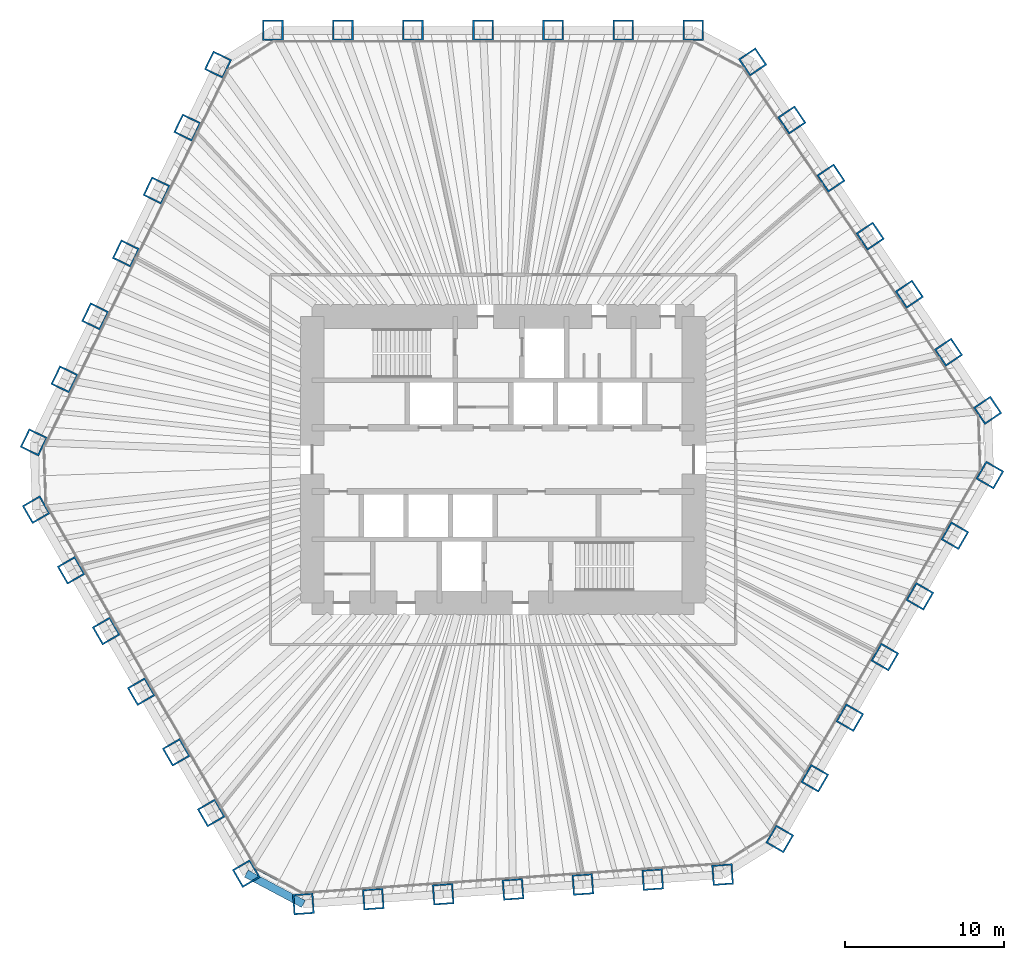
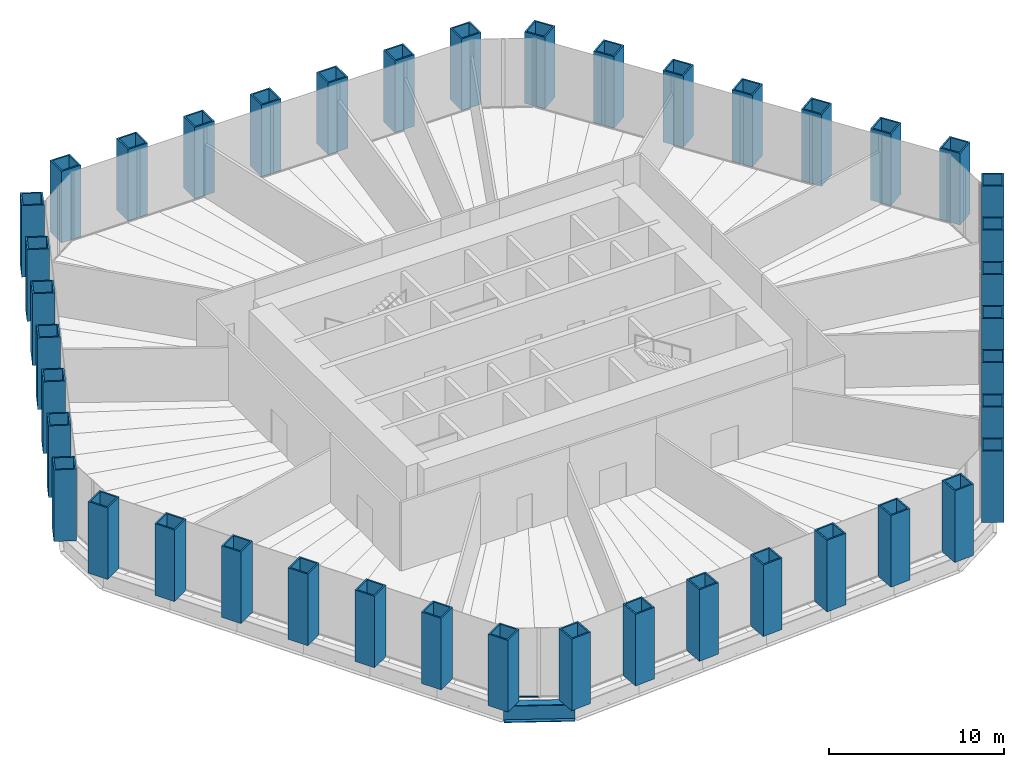
# One storey, part 1 of 13: 42 columns, 1 beam, 1 member, 1 element without a shape of its own.
"""IFC4 building model written with IfcOpenShell, lengths in metres."""

from ifc_helpers import new_model, si_unit, direction, frame, origin, origin_2d, place, context, subcontext, project, spatial, rectangle, hollow_rectangle, i_section, extrude, material, material_profile, profile_set, type_object, element, aggregate, save


model = new_model("IFC4")

# Units and contexts
model_context = context("Model", 3, precision=1e-05, world=origin(), true_north=direction((0.0, 1.0)))
body_context = subcontext(model_context, "Body", "Model", "MODEL_VIEW")
ifc_project = project(units=[si_unit("LENGTHUNIT", "METRE"), si_unit("AREAUNIT", "SQUARE_METRE"), si_unit("VOLUMEUNIT", "CUBIC_METRE"), si_unit("PLANEANGLEUNIT", "RADIAN"), si_unit("MASSUNIT", "GRAM", prefix="KILO")], contexts=[model_context])

# Site, building, storey
site_placement = place(None, origin())
site = spatial("IfcSite", under=ifc_project, at=site_placement, CompositionType="ELEMENT")
building_placement = place(site_placement, origin())
building = spatial("IfcBuilding", under=site, at=building_placement, Name="Qingtian Harvest Tower", CompositionType="ELEMENT")
storey_placement = place(building_placement, frame((0.0, 0.0, 77.0)))
storey = spatial("IfcBuildingStorey", under=building, at=storey_placement, Name="L15", CompositionType="ELEMENT", Elevation=77.0)

# Columns
ifc_material_1 = material(Name="Steel SM570MC", Category="steel")
ifc_material_profile_1 = material_profile(ifc_material_1, hollow_rectangle(XDim=1.300048828125, YDim=1.300048828125, WallThickness=0.10009765625, at=origin_2d()), Name="BOX1300x1300x100")
ifc_profile_set_1 = profile_set([ifc_material_profile_1], Name="Steel SM570MC")
column_type = type_object("IfcColumnType", Name="Tube column TC2 BOX1300x1300x100", PredefinedType="COLUMN", material=ifc_profile_set_1)
for number, where, z_axis, x_axis, name in (
    (1, (-14.471435546875, 27.0, 0.0), (0.0, 0.0, 1.0), (-1.0, 0.0, 0.0), "Tube column TC2 N0"),
    (2, (-10.06689453125, 27.0, 0.0), (0.0, 0.0, 1.0), (-1.0, 0.0, 0.0), "Tube column TC2 N1"),
    (3, (-5.662353515625, 27.0, 0.0), (0.0, 0.0, 1.0), (-1.0, 0.0, 0.0), "Tube column TC2 N2"),
    (4, (-1.257568359375, 27.0, 0.0), (0.0, 0.0, 1.0), (-1.0, 0.0, 0.0), "Tube column TC2 N3"),
    (5, (3.14697265625, 27.0, 0.0), (0.0, 0.0, 1.0), (-1.0, 0.0, 0.0), "Tube column TC2 N4"),
    (6, (7.551513671875, 27.0, 0.0), (0.0, 0.0, 1.0), (-1.0, 0.0, 0.0), "Tube column TC2 N5"),
    (7, (11.9560546875, 27.0, 0.0), (0.0, 0.0, 1.0), (-1.0, 0.0, 0.0), "Tube column TC2 N6"),
    (8, (15.6982421875, 25.01025390625, 0.0), (0.0, 0.0, 1.0), (-0.559192903471, 0.829037572555, 0.0), "Tube column TC2 NE0"),
    (9, (18.1611328125, 21.358642578125, 0.0), (0.0, 0.0, 1.0), (-0.559192903471, 0.829037572555, 0.0), "Tube column TC2 NE1"),
    (10, (20.624267578125, 17.70703125, 0.0), (0.0, 0.0, 1.0), (-0.559192903471, 0.829037572555, 0.0), "Tube column TC2 NE2"),
    (11, (23.08740234375, 14.0556640625, 0.0), (0.0, 0.0, 1.0), (-0.559192903471, 0.829037572555, 0.0), "Tube column TC2 NE3"),
    (12, (25.55029296875, 10.404052734375, 0.0), (0.0, 0.0, 1.0), (-0.559192903471, 0.829037572555, 0.0), "Tube column TC2 NE4"),
    (13, (28.013427734375, 6.75244140625, 0.0), (0.0, 0.0, 1.0), (-0.559192903471, 0.829037572555, 0.0), "Tube column TC2 NE5"),
    (14, (30.476318359375, 3.100830078125, 0.0), (0.0, 0.0, 1.0), (-0.559192903471, 0.829037572555, 0.0), "Tube column TC2 NE6"),
    (15, (30.618408203125, -0.96728515625, 0.0), (0.0, 0.0, 1.0), (0.5, 0.866025403784, 0.0), "Tube column TC2 SE0"),
    (16, (28.416015625, -4.78173828125, 0.0), (0.0, 0.0, 1.0), (0.5, 0.866025403784, 0.0), "Tube column TC2 SE1"),
    (17, (26.2138671875, -8.596435546875, 0.0), (0.0, 0.0, 1.0), (0.5, 0.866025403784, 0.0), "Tube column TC2 SE2"),
    (18, (24.011474609375, -12.410888671875, 0.0), (0.0, 0.0, 1.0), (0.5, 0.866025403784, 0.0), "Tube column TC2 SE3"),
    (19, (21.809326171875, -16.225341796875, 0.0), (0.0, 0.0, 1.0), (0.5, 0.866025403784, 0.0), "Tube column TC2 SE4"),
    (20, (19.60693359375, -20.039794921875, 0.0), (0.0, 0.0, 1.0), (0.5, 0.866025403784, 0.0), "Tube column TC2 SE5"),
    (21, (17.404541015625, -23.854248046875, 0.0), (0.0, 0.0, 1.0), (0.5, 0.866025403784, 0.0), "Tube column TC2 SE6"),
    (22, (13.810546875, -26.10009765625, 0.0), (0.0, 0.0, 1.0), (0.99756405026, 0.069756473744, 0.0), "Tube column TC2 S0"),
    (23, (9.41650390625, -26.407470703125, 0.0), (0.0, 0.0, 1.0), (0.99756405026, 0.069756473744, 0.0), "Tube column TC2 S1"),
    (24, (5.022705078125, -26.714599609375, 0.0), (0.0, 0.0, 1.0), (0.99756405026, 0.069756473744, 0.0), "Tube column TC2 S2"),
    (25, (0.62890625, -27.02197265625, 0.0), (0.0, 0.0, 1.0), (0.99756405026, 0.069756473744, 0.0), "Tube column TC2 S3"),
    (26, (-3.76513671875, -27.3291015625, 0.0), (0.0, 0.0, 1.0), (0.99756405026, 0.069756473744, 0.0), "Tube column TC2 S4"),
    (27, (-8.158935546875, -27.636474609375, 0.0), (0.0, 0.0, 1.0), (0.99756405026, 0.069756473744, 0.0), "Tube column TC2 S5"),
    (28, (-12.552734375, -27.943603515625, 0.0), (0.0, 0.0, 1.0), (0.99756405026, 0.069756473744, 0.0), "Tube column TC2 S6"),
    (29, (-16.14697265625, -26.03271484375, 0.0), (0.0, 0.0, 1.0), (0.5, -0.866025403784, 0.0), "Tube column TC2 SW0"),
    (30, (-18.349365234375, -22.21826171875, 0.0), (0.0, 0.0, 1.0), (0.5, -0.866025403784, 0.0), "Tube column TC2 SW1"),
    (31, (-20.551513671875, -18.403564453125, 0.0), (0.0, 0.0, 1.0), (0.5, -0.866025403784, 0.0), "Tube column TC2 SW2"),
    (32, (-22.75390625, -14.589111328125, 0.0), (0.0, 0.0, 1.0), (0.5, -0.866025403784, 0.0), "Tube column TC2 SW3"),
    (33, (-24.9560546875, -10.774658203125, 0.0), (0.0, 0.0, 1.0), (0.5, -0.866025403784, 0.0), "Tube column TC2 SW4"),
    (34, (-27.158447265625, -6.960205078125, 0.0), (0.0, 0.0, 1.0), (0.5, -0.866025403784, 0.0), "Tube column TC2 SW5"),
    (35, (-29.36083984375, -3.145751953125, 0.0), (0.0, 0.0, 1.0), (0.5, -0.866025403784, 0.0), "Tube column TC2 SW6"),
    (36, (-29.5087890625, 1.08984375, 0.0), (0.0, 0.0, 1.0), (-0.438371146789, -0.898794046299, 0.0), "Tube column TC2 NW0"),
    (37, (-27.577880859375, 5.048828125, 0.0), (0.0, 0.0, 1.0), (-0.438371146789, -0.898794046299, 0.0), "Tube column TC2 NW1"),
    (38, (-25.64697265625, 9.007568359375, 0.0), (0.0, 0.0, 1.0), (-0.438371146789, -0.898794046299, 0.0), "Tube column TC2 NW2"),
    (39, (-23.716064453125, 12.96630859375, 0.0), (0.0, 0.0, 1.0), (-0.438371146789, -0.898794046299, 0.0), "Tube column TC2 NW3"),
    (40, (-21.78515625, 16.92529296875, 0.0), (0.0, 0.0, 1.0), (-0.438371146789, -0.898794046299, 0.0), "Tube column TC2 NW4"),
    (41, (-19.8544921875, 20.884033203125, 0.0), (0.0, 0.0, 1.0), (-0.438371146789, -0.898794046299, 0.0), "Tube column TC2 NW5"),
    (42, (-17.923583984375, 24.8427734375, 0.0), (0.0, 0.0, 1.0), (-0.438371146789, -0.898794046299, 0.0), "Tube column TC2 NW6"),
):
    element("IfcColumn", number, at=place(storey_placement, frame(where, z_axis=z_axis, x_axis=x_axis)), inside=storey, type_object=column_type, Name=name, PredefinedType="COLUMN", context=body_context, shape_type="SweptSolid", body=[
        extrude(hollow_rectangle(XDim=1.300048828125, YDim=1.300048828125, WallThickness=0.10009765625, at=origin_2d()), origin(), (0.0, 0.0, 1.0), 5.0),
    ])

# Beam
ifc_material_2 = material(Name="Steel SM570MC", Category="steel")
ifc_material_profile_2 = material_profile(ifc_material_2, i_section(OverallWidth=0.5, OverallDepth=1.199951171875, WebThickness=0.02490234375, FlangeThickness=0.050048828125, at=origin_2d()), Name="H1200x500x25x50")
ifc_profile_set_2 = profile_set([ifc_material_profile_2], Name="Steel SM570MC")
beam_type = type_object("IfcBeamType", Name="Spandrel beam SB1 H1200x500x25x50", PredefinedType="SPANDREL", material=ifc_profile_set_2)
beam_placement = place(storey_placement, frame((-12.552734375, -27.943603515625, -0.60009765625), z_axis=(-0.882968133669, 0.469432929101, 0.0), x_axis=(-0.469432929101, -0.882968133669, 0.0)))
element("IfcBeam", 43, at=beam_placement, inside=storey, type_object=beam_type, Name="Spandrel SB1 SC", PredefinedType="SPANDREL", context=body_context, shape_type="SweptSolid", body=[
    extrude(i_section(OverallWidth=0.5, OverallDepth=1.199951171875, WebThickness=0.02490234375, FlangeThickness=0.050048828125, at=origin_2d()), origin(), (0.0, 0.0, 1.0), 4.070556640625),
])

# Curtain wall, member
ifc_material_3 = material(Name="Bronze-anodised aluminium curtain wall", Category="aluminium")
curtain_wall_type = type_object("IfcCurtainWallType", Name="Curtain wall CW2 farm reception", PredefinedType="USERDEFINED", material=ifc_material_3)
curtain_wall_placement = place(storey_placement, origin())
curtain_wall = element("IfcCurtainWall", 44, at=curtain_wall_placement, inside=storey, type_object=curtain_wall_type, Name="Curtain wall CW2 L15 SC", ObjectType="RECESSED CURTAIN WALL", PredefinedType="USERDEFINED")
ifc_material_4 = material(Name="Bronze-anodised aluminium transom", Category="aluminium")
ifc_material_profile_3 = material_profile(ifc_material_4, rectangle(XDim=0.14990234375, YDim=0.06494140625, at=origin_2d()), Name="AL 65x150")
ifc_profile_set_3 = profile_set([ifc_material_profile_3], Name="Bronze-anodised aluminium transom")
member_type = type_object("IfcMemberType", Name="Transom CWT 65x150", PredefinedType="USERDEFINED", material=ifc_profile_set_3)
member_placement = place(storey_placement, frame((-14.099853515625, -26.44873046875, 0.032470703125), z_axis=(-0.882960338349, 0.46944759122, 0.0), x_axis=(-0.46944759122, -0.882960338349, 0.0)))
member = element("IfcMember", 45, at=member_placement, type_object=member_type, Name="CW2 transom 2.1", ObjectType="TRANSOM", PredefinedType="USERDEFINED", context=body_context, shape_type="SweptSolid", body=[
    extrude(rectangle(XDim=0.14990234375, YDim=0.06494140625, at=origin_2d()), origin(), (0.0, 0.0, 1.0), 1.56689453125),
])
aggregate(curtain_wall, [member])

save(model, "model.ifc")
